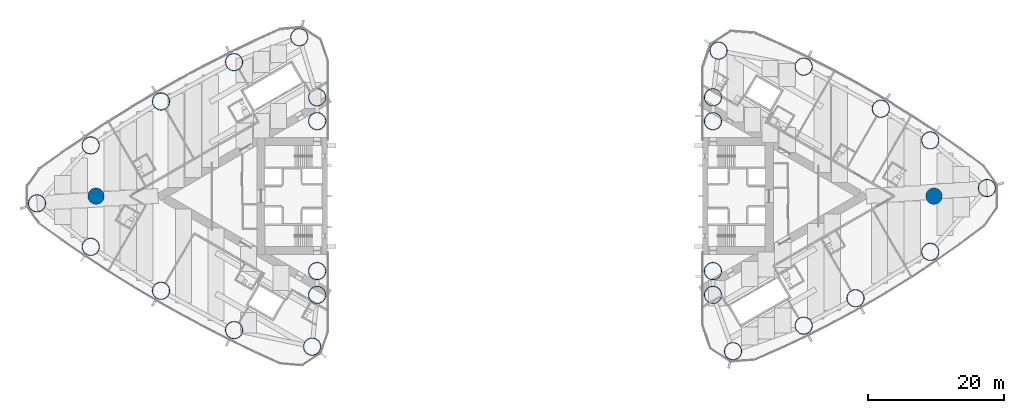
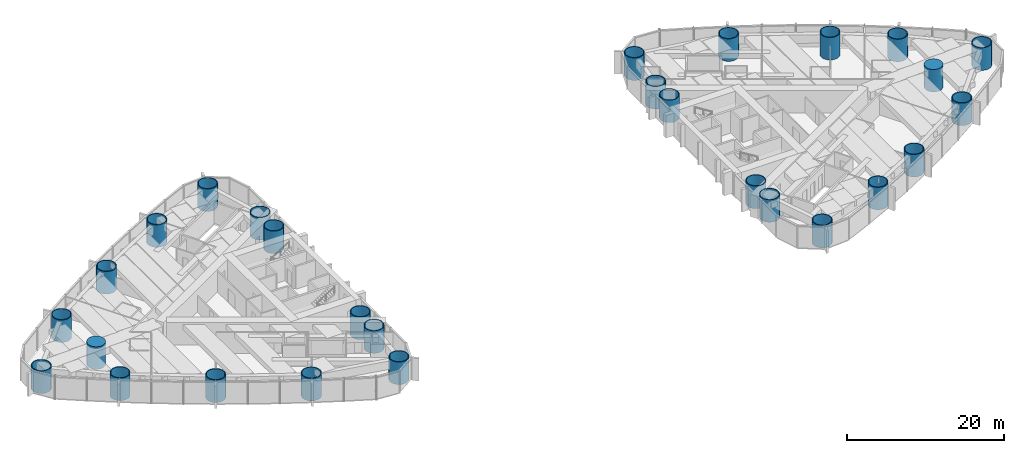
# One storey, part 1 of 18: 28 columns.
"""IFC4 building model written with IfcOpenShell, lengths in metres."""

from ifc_helpers import new_model, si_unit, direction, frame, origin, origin_2d, place, context, subcontext, project, spatial, circle, hollow_circle, extrude, material, material_profile, profile_set, type_object, element, save


model = new_model("IFC4")

# Units and contexts
model_context = context("Model", 3, precision=1e-05, world=origin(), true_north=direction((0.0, 1.0)))
body_context = subcontext(model_context, "Body", "Model", "MODEL_VIEW")
ifc_project = project(units=[si_unit("LENGTHUNIT", "METRE"), si_unit("AREAUNIT", "SQUARE_METRE"), si_unit("VOLUMEUNIT", "CUBIC_METRE"), si_unit("PLANEANGLEUNIT", "RADIAN"), si_unit("MASSUNIT", "GRAM", prefix="KILO")], contexts=[model_context])

# Site, building, storey
site_placement = place(None, origin())
site = spatial("IfcSite", under=ifc_project, at=site_placement, CompositionType="ELEMENT")
building_placement = place(site_placement, origin())
building = spatial("IfcBuilding", under=site, at=building_placement, Name="Lancet Gate Hotel", CompositionType="ELEMENT")
storey_placement = place(building_placement, frame((0.0, 0.0, 139.60009765625)))
storey = spatial("IfcBuildingStorey", under=building, at=storey_placement, Name="L37", CompositionType="ELEMENT", Elevation=139.60009765625)

# Columns
ifc_material_1 = material(Name="Concrete C80/95", Category="concrete")
ifc_material_profile_1 = material_profile(ifc_material_1, circle(Radius=1.199951171875, at=origin_2d()), Name="RC D2400")
ifc_profile_set_1 = profile_set([ifc_material_profile_1], Name="Concrete C80/95")
column_type_1 = type_object("IfcColumnType", Name="Apex column RC D2400", PredefinedType="COLUMN", material=ifc_profile_set_1)
for number, where, z_axis, x_axis, name in (
    (1, (-61.5, 0.0, 0.0), (0.0, 0.0, 1.0), (1.0, 0.0, 0.0), "T1 column AX L37"),
    (2, (61.5, 0.0, 0.0), (0.0, 0.0, 1.0), (1.0, 0.0, 0.0), "T2 column AX L37"),
):
    element("IfcColumn", number, at=place(storey_placement, frame(where, z_axis=z_axis, x_axis=x_axis)), inside=storey, type_object=column_type_1, Name=name, PredefinedType="COLUMN", context=body_context, shape_type="SweptSolid", body=[
        extrude(circle(Radius=1.199951171875, at=origin_2d()), origin(), (0.0, 0.0, 1.0), 3.5),
    ])
ifc_material_2 = material(Name="Composite filled tube, grade 460 plate, grade 80/95 fill", Category="composite")
ifc_material_profile_2 = material_profile(ifc_material_2, hollow_circle(Radius=1.300048828125, WallThickness=0.10009765625, at=origin_2d()), Name="CHS 2600x100")
ifc_profile_set_2 = profile_set([ifc_material_profile_2], Name="Composite filled tube, grade 460 plate, grade 80/95 fill")
column_type_2 = type_object("IfcColumnType", Name="Apex corner column CFT CHS 2600x100", PredefinedType="COLUMN", material=ifc_profile_set_2)
for number, where, z_axis, x_axis, name in (
    (3, (-70.16796875, -1.06005859375, 0.0), (0.0, 0.0, 1.0), (1.0, 0.0, 0.0), "T1 column CA L37"),
    (4, (69.268798828125, 1.1865234375, 0.0), (0.0, 0.0, 1.0), (1.0, 0.0, 0.0), "T2 column CA L37"),
):
    element("IfcColumn", number, at=place(storey_placement, frame(where, z_axis=z_axis, x_axis=x_axis)), inside=storey, type_object=column_type_2, Name=name, PredefinedType="COLUMN", context=body_context, shape_type="SweptSolid", body=[
        extrude(hollow_circle(Radius=1.300048828125, WallThickness=0.10009765625, at=origin_2d()), origin(), (0.0, 0.0, 1.0), 3.5),
    ])
ifc_material_3 = material(Name="Composite filled tube, grade 460 plate, grade 80/95 fill", Category="composite")
ifc_material_profile_3 = material_profile(ifc_material_3, hollow_circle(Radius=1.300048828125, WallThickness=0.10009765625, at=origin_2d()), Name="CHS 2600x100")
ifc_profile_set_3 = profile_set([ifc_material_profile_3], Name="Composite filled tube, grade 460 plate, grade 80/95 fill")
column_type_3 = type_object("IfcColumnType", Name="Perimeter column CFT CHS 2600x100", PredefinedType="COLUMN", material=ifc_profile_set_3)
for number, where, z_axis, x_axis, name in (
    (5, (-29.781005859375, -22.0947265625, 0.0), (0.0, 0.0, 1.0), (1.0, 0.0, 0.0), "T1 column CN L37"),
    (6, (-31.66455078125, 23.318359375, 0.0), (0.0, 0.0, 1.0), (1.0, 0.0, 0.0), "T1 column CS L37"),
    (7, (-29.050048828125, -11.0, 0.0), (0.0, 0.0, 1.0), (1.0, 0.0, 0.0), "T1 column IN L37"),
    (8, (-29.050048828125, 11.0, 0.0), (0.0, 0.0, 1.0), (1.0, 0.0, 0.0), "T1 column IS L37"),
    (9, (-29.050048828125, 14.5, 0.0), (0.0, 0.0, 1.0), (1.0, 0.0, 0.0), "T1 column IT L37"),
    (10, (-29.050048828125, -14.5, 0.0), (0.0, 0.0, 1.0), (1.0, 0.0, 0.0), "T1 column JT L37"),
    (11, (-62.28662109375, -7.444580078125, 0.0), (0.0, 0.0, 1.0), (1.0, 0.0, 0.0), "T1 column ON1 L37"),
    (12, (-51.963134765625, -13.89501953125, 0.0), (0.0, 0.0, 1.0), (1.0, 0.0, 0.0), "T1 column ON2 L37"),
    (13, (-41.244873046875, -19.665771484375, 0.0), (0.0, 0.0, 1.0), (1.0, 0.0, 0.0), "T1 column ON3 L37"),
    (14, (-41.244873046875, 19.665771484375, 0.0), (0.0, 0.0, 1.0), (1.0, 0.0, 0.0), "T1 column OS1 L37"),
    (15, (-51.963134765625, 13.89501953125, 0.0), (0.0, 0.0, 1.0), (1.0, 0.0, 0.0), "T1 column OS2 L37"),
    (16, (-62.28662109375, 7.444580078125, 0.0), (0.0, 0.0, 1.0), (1.0, 0.0, 0.0), "T1 column OS3 L37"),
    (17, (29.8720703125, 21.35498046875, 0.0), (0.0, 0.0, 1.0), (1.0, 0.0, 0.0), "T2 column CN L37"),
    (18, (31.99609375, -22.76318359375, 0.0), (0.0, 0.0, 1.0), (1.0, 0.0, 0.0), "T2 column CS L37"),
    (19, (29.050048828125, 11.0, 0.0), (0.0, 0.0, 1.0), (1.0, 0.0, 0.0), "T2 column IN L37"),
    (20, (29.050048828125, -11.0, 0.0), (0.0, 0.0, 1.0), (1.0, 0.0, 0.0), "T2 column IS L37"),
    (21, (29.050048828125, -14.5, 0.0), (0.0, 0.0, 1.0), (1.0, 0.0, 0.0), "T2 column IT L37"),
    (22, (29.050048828125, 14.5, 0.0), (0.0, 0.0, 1.0), (1.0, 0.0, 0.0), "T2 column JT L37"),
    (23, (60.940673828125, 8.18115234375, 0.0), (0.0, 0.0, 1.0), (1.0, 0.0, 0.0), "T2 column ON1 L37"),
    (24, (53.697021484375, 12.827392578125, 0.0), (0.0, 0.0, 1.0), (1.0, 0.0, 0.0), "T2 column ON2 L37"),
    (25, (42.3662109375, 19.007080078125, 0.0), (0.0, 0.0, 1.0), (1.0, 0.0, 0.0), "T2 column ON3 L37"),
    (26, (42.3662109375, -19.007080078125, 0.0), (0.0, 0.0, 1.0), (1.0, 0.0, 0.0), "T2 column OS1 L37"),
    (27, (49.97900390625, -14.994384765625, 0.0), (0.0, 0.0, 1.0), (1.0, 0.0, 0.0), "T2 column OS2 L37"),
    (28, (60.940673828125, -8.18115234375, 0.0), (0.0, 0.0, 1.0), (1.0, 0.0, 0.0), "T2 column OS3 L37"),
):
    element("IfcColumn", number, at=place(storey_placement, frame(where, z_axis=z_axis, x_axis=x_axis)), inside=storey, type_object=column_type_3, Name=name, PredefinedType="COLUMN", context=body_context, shape_type="SweptSolid", body=[
        extrude(hollow_circle(Radius=1.300048828125, WallThickness=0.10009765625, at=origin_2d()), origin(), (0.0, 0.0, 1.0), 3.5),
    ])

save(model, "model.ifc")
